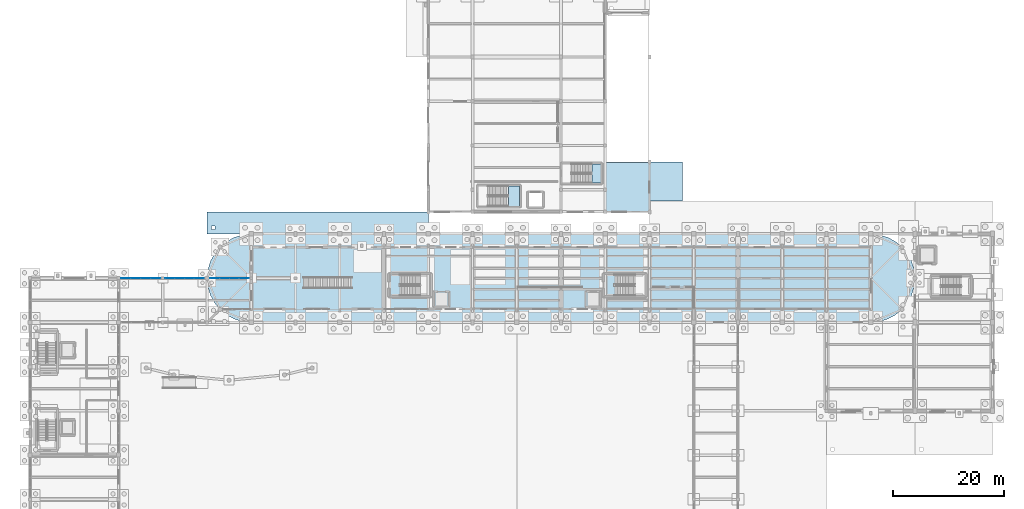
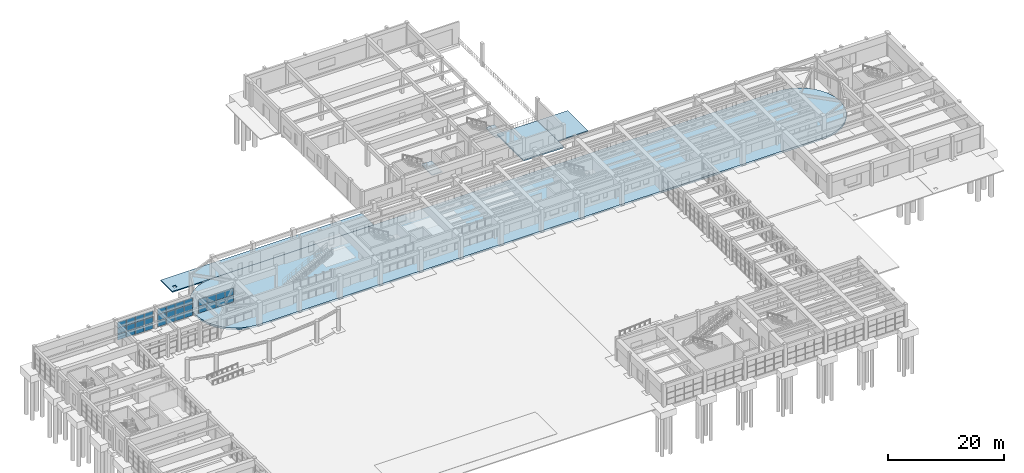
# One storey, part 40 of 68: 32 plates, 6 slabs, 5 elements without a shape of their own.
"""IFC4 building model written with IfcOpenShell, lengths in metres."""

import ifcopenshell
import ifcopenshell.guid

model = None  # the IFC model being written
_history = None  # IfcOwnerHistory: only IFC2X3 demands one
_inside = {}  # id of a spatial element -> (the spatial element, [elements in it])
_under = {}  # id of a project, library or spatial element -> (it, [spatial elements below it])
_declared = {}  # id of a project -> (the project, [libraries it declares])
_typed = {}  # id of a type object -> (the type object, [elements of that type])
_made_of = {}  # id of a material, layer set ... -> (it, [elements and type objects made of it])


def new_model(schema):
    """Start an empty IFC model of exactly this schema.

    Asked for "IFC4X3", IfcOpenShell would pick the latest addendum, in which some entities
    have other attributes; the version numbers below select the first issue.
    IFC2X3 requires an IfcOwnerHistory on every rooted entity: one is made here for all.
    """
    global model, _history
    if schema == "IFC4X3":
        model = ifcopenshell.file(schema_version=(4, 3, 0, 0))
    else:
        model = ifcopenshell.file(schema=schema)
    _inside.clear()
    _under.clear()
    _declared.clear()
    _typed.clear()
    _made_of.clear()
    _history = None
    if model.schema == "IFC2X3":
        org = make("IfcOrganization", Name="unknown")
        user = make(
            "IfcPersonAndOrganization",
            ThePerson=make("IfcPerson", FamilyName="unknown"),
            TheOrganization=org,
        )
        app = make(
            "IfcApplication",
            ApplicationDeveloper=org,
            Version="unknown",
            ApplicationFullName="unknown",
            ApplicationIdentifier="unknown",
        )
        _history = make(
            "IfcOwnerHistory",
            OwningUser=user,
            OwningApplication=app,
            ChangeAction="ADDED",
            CreationDate=0,
        )
    return model


def make(cls, **values):
    """One entity of the class cls with the attributes given. An attribute that is None is left unset."""
    return model.create_entity(
        cls, **{name: value for name, value in values.items() if value is not None}
    )


def rooted(cls, **values):
    """An entity with a GlobalId (a new one), such as an element, a storey or a relation."""
    return make(cls, GlobalId=ifcopenshell.guid.new(), OwnerHistory=_history, **values)


def si_unit(unit_type, name, prefix=None):
    """IfcSIUnit, for example si_unit("LENGTHUNIT", "METRE", prefix="MILLI")."""
    return make("IfcSIUnit", UnitType=unit_type, Prefix=prefix, Name=name)


def assignment(units):
    """IfcUnitAssignment: the units of a project."""
    return None if units is None else make("IfcUnitAssignment", Units=units)


def point(xyz):
    """IfcCartesianPoint."""
    return None if xyz is None else make("IfcCartesianPoint", Coordinates=xyz)


def direction(xyz):
    """IfcDirection."""
    return None if xyz is None else make("IfcDirection", DirectionRatios=xyz)


def frame(location, z_axis=None, x_axis=None):
    """IfcAxis2Placement3D, a coordinate frame: its origin and axes. An axis left out is left unset."""
    return make(
        "IfcAxis2Placement3D",
        Location=point(location),
        Axis=direction(z_axis),
        RefDirection=direction(x_axis),
    )


def frame_2d(location, x_axis=None):
    """IfcAxis2Placement2D, a coordinate frame in the plane: its origin and x axis."""
    return make(
        "IfcAxis2Placement2D", Location=point(location), RefDirection=direction(x_axis)
    )


def origin():
    """The frame at (0, 0, 0) with its axes left unset."""
    return frame((0.0, 0.0, 0.0))


def origin_2d():
    """The frame at (0, 0) in the plane with its x axis left unset."""
    return frame_2d((0.0, 0.0))


def place(relative_to, where):
    """IfcLocalPlacement: puts the frame where relative to a parent placement (None: the world)."""
    return make(
        "IfcLocalPlacement", PlacementRelTo=relative_to, RelativePlacement=where
    )


def context(
    kind, dimensions, precision=None, world=None, true_north=None, identifier=None
):
    """IfcGeometricRepresentationContext, for example the 3D "Model" context."""
    return make(
        "IfcGeometricRepresentationContext",
        ContextIdentifier=identifier,
        ContextType=kind,
        CoordinateSpaceDimension=dimensions,
        Precision=precision,
        WorldCoordinateSystem=world,
        TrueNorth=true_north,
    )


def subcontext(parent, identifier, kind, view, scale=None):
    """IfcGeometricRepresentationSubContext, for example "Body" below "Model"."""
    return make(
        "IfcGeometricRepresentationSubContext",
        ContextIdentifier=identifier,
        ContextType=kind,
        ParentContext=parent,
        TargetScale=scale,
        TargetView=view,
    )


def project(units=None, contexts=None):
    """IfcProject with its units and contexts."""
    return rooted(
        "IfcProject",
        Name="project",
        RepresentationContexts=contexts,
        UnitsInContext=assignment(units),
    )


def spatial(cls, under=None, at=None, **own):
    """A site, building, storey or space (cls), placed at a placement, below another one or the project."""
    s = rooted(cls, ObjectPlacement=at, **own)
    if under is not None:
        _under.setdefault(under.id(), (under, []))[1].append(s)
    return s


def polyline(points):
    """IfcPolyline through the points."""
    return make("IfcPolyline", Points=[point(p) for p in points])


def profile(cls, at=None, kind="AREA", **sizes):
    """A parametric profile (cls). Its sizes go by their IFC names, for example OverallWidth=200.0."""
    return make(cls, ProfileType=kind, Position=at, **sizes)


def rectangle(**sizes):
    """IfcRectangleProfileDef."""
    return profile("IfcRectangleProfileDef", **sizes)


def outline(outer, holes=None, kind="AREA"):
    """IfcArbitraryClosedProfileDef: a profile drawn as a closed curve; with holes, ...WithVoids."""
    if holes is None:
        return make("IfcArbitraryClosedProfileDef", ProfileType=kind, OuterCurve=outer)
    return make(
        "IfcArbitraryProfileDefWithVoids",
        ProfileType=kind,
        OuterCurve=outer,
        InnerCurves=holes,
    )


def extrude(swept, where, along, depth):
    """IfcExtrudedAreaSolid: the profile swept, set in the frame where, extruded along a direction by depth."""
    return make(
        "IfcExtrudedAreaSolid",
        SweptArea=swept,
        Position=where,
        ExtrudedDirection=direction(along),
        Depth=depth,
    )


def shape(context_of_items, identifier, shape_type, items):
    """IfcShapeRepresentation: the items that make up one representation, for example the "Body"."""
    return make(
        "IfcShapeRepresentation",
        ContextOfItems=context_of_items,
        RepresentationIdentifier=identifier,
        RepresentationType=shape_type,
        Items=items,
    )


def material(Name=None, Category=None):
    """IfcMaterial."""
    return make("IfcMaterial", Name=Name, Category=Category)


def layer(
    of_material, thickness, ventilated=None, Name=None, Category=None, Priority=None
):
    """IfcMaterialLayer: one layer of a wall or slab, of a material (None: an air gap)."""
    return make(
        "IfcMaterialLayer",
        Material=of_material,
        LayerThickness=thickness,
        IsVentilated=ventilated,
        Name=Name,
        Category=Category,
        Priority=Priority,
    )


def layer_set(layers, Name=None):
    """IfcMaterialLayerSet."""
    return make("IfcMaterialLayerSet", MaterialLayers=layers, LayerSetName=Name)


def made_of(thing, what):
    """Note that an element or type object is made of a material, layer set ...; save() writes the relation."""
    if what is not None:
        _made_of.setdefault(what.id(), (what, []))[1].append(thing)
    return thing


def type_object(cls, material=None, **own):
    """A type object (cls), such as IfcWallType, which elements share."""
    return made_of(rooted(cls, **own), material)


def element(
    cls,
    number,
    at=None,
    inside=None,
    cuts=None,
    type_object=None,
    material=None,
    context=None,
    identifier="Body",
    shape_type=None,
    held_by="IfcProductDefinitionShape",
    body=None,
    shapes=None,
    **own,
):
    """One element of the class cls, such as IfcWall. Its Tag is "e" and its number.

    at: its placement. inside: the storey or other place that contains it. cuts: it is an
    opening in that element (IfcRelVoidsElement). A single representation is given by context,
    identifier, shape_type and body (its items); several are given by shapes. held_by: the class
    of the entity that holds the representations. save() writes the other relations.
    """
    e = rooted(cls, Tag="e%d" % number, ObjectPlacement=at, **own)
    if body is not None:
        shapes = [shape(context, identifier, shape_type, body)]
    if shapes is not None:
        e.Representation = make(held_by, Representations=shapes)
    if inside is not None:
        _inside.setdefault(inside.id(), (inside, []))[1].append(e)
    if cuts is not None:
        rooted(
            "IfcRelVoidsElement", RelatingBuildingElement=cuts, RelatedOpeningElement=e
        )
    if type_object is not None:
        _typed.setdefault(type_object.id(), (type_object, []))[1].append(e)
    return made_of(e, material)


def aggregate(whole, parts):
    """IfcRelAggregates: a whole, such as a stair, and the parts it consists of."""
    return rooted("IfcRelAggregates", RelatingObject=whole, RelatedObjects=parts)


def save(model, path):
    """Write the relations noted so far, then the file.

    IfcRelAggregates (storeys below a building ...), IfcRelContainedInSpatialStructure (elements
    in a storey), IfcRelDefinesByType, IfcRelAssociatesMaterial and IfcRelDeclares: one each for
    every whole, place, type object, material and project.
    """
    for whole, parts in _under.values():
        aggregate(whole, parts)
    for where, things in _inside.values():
        rooted(
            "IfcRelContainedInSpatialStructure",
            RelatedElements=things,
            RelatingStructure=where,
        )
    for kind, things in _typed.values():
        rooted("IfcRelDefinesByType", RelatedObjects=things, RelatingType=kind)
    for what, things in _made_of.values():
        rooted("IfcRelAssociatesMaterial", RelatedObjects=things, RelatingMaterial=what)
    for by, libraries in _declared.values():
        rooted("IfcRelDeclares", RelatingContext=by, RelatedDefinitions=libraries)
    model.write(path)


model = new_model("IFC4")

# Units and contexts
model_context = context("Model", 3, precision=1e-05, world=origin(), true_north=direction((0.0, 1.0)))
body_context = subcontext(model_context, "Body", "Model", "MODEL_VIEW")
ifc_project = project(units=[si_unit("LENGTHUNIT", "METRE"), si_unit("AREAUNIT", "SQUARE_METRE"), si_unit("VOLUMEUNIT", "CUBIC_METRE"), si_unit("PLANEANGLEUNIT", "RADIAN"), si_unit("MASSUNIT", "GRAM", prefix="KILO")], contexts=[model_context])

# Site, building, storey
site_placement = place(None, origin())
site = spatial("IfcSite", under=ifc_project, at=site_placement, CompositionType="ELEMENT")
building_placement = place(site_placement, origin())
building = spatial("IfcBuilding", under=site, at=building_placement, Name="Serraluz Foothill Cableway Terminal", CompositionType="ELEMENT")
storey_placement = place(building_placement, origin())
storey = spatial("IfcBuildingStorey", under=building, at=storey_placement, Name="L00", CompositionType="ELEMENT", Elevation=0.0)

# Curtain wall, plates
ifc_material_1 = material(Name="Architectural bronze alloy C28000", Category="aluminium")
curtain_wall_type = type_object("IfcCurtainWallType", Name="TYP-CW-710X420", PredefinedType="NOTDEFINED", material=ifc_material_1)
curtain_wall_1_placement = place(storey_placement, origin())
curtain_wall_1 = element("IfcCurtainWall", 1, at=curtain_wall_1_placement, inside=storey, type_object=curtain_wall_type, Name="Ribbed Glazed Curtain Wall CW-WLN-L00-16", PredefinedType="NOTDEFINED")
ifc_material_2 = material(Name="Translucent ribbed laminated channel glass", Category="glass")
ifc_layer_1 = layer(ifc_material_2, 0.028076171875, Name="Translucent ribbed laminated channel glass", Category="glass")
ifc_layer_set_1 = layer_set([ifc_layer_1], Name="Translucent ribbed laminated channel glass")
plate_type = type_object("IfcPlateType", Name="TYP-CW-PNL-28", PredefinedType="CURTAIN_PANEL", material=ifc_layer_set_1)
plate_1_placement = place(storey_placement, frame((17.329345703125, 64.0, 0.06005859375), z_axis=(0.0, 0.0, 1.0), x_axis=(1.0, 0.0, 0.0)))
plate_1 = element("IfcPlate", 2, at=plate_1_placement, type_object=plate_type, Name="CW-01 panel 1.1", PredefinedType="CURTAIN_PANEL", context=body_context, shape_type="SweptSolid", body=[
    extrude(rectangle(XDim=1.708740234375, YDim=0.028076171875, at=origin_2d()), origin(), (0.0, 0.0, 1.0), 1.21337890625),
])
plate_2_placement = place(storey_placement, frame((17.329345703125, 64.0, 1.33349609375), z_axis=(0.0, 0.0, 1.0), x_axis=(1.0, 0.0, 0.0)))
plate_2 = element("IfcPlate", 3, at=plate_2_placement, type_object=plate_type, Name="CW-01 panel 1.2", PredefinedType="CURTAIN_PANEL", context=body_context, shape_type="SweptSolid", body=[
    extrude(rectangle(XDim=1.708740234375, YDim=0.028076171875, at=origin_2d()), origin(), (0.0, 0.0, 1.0), 1.243408203125),
])
plate_3_placement = place(storey_placement, frame((17.329345703125, 64.0, 2.63671875), z_axis=(0.0, 0.0, 1.0), x_axis=(1.0, 0.0, 0.0)))
plate_3 = element("IfcPlate", 4, at=plate_3_placement, type_object=plate_type, Name="CW-01 panel 1.3", PredefinedType="CURTAIN_PANEL", context=body_context, shape_type="SweptSolid", body=[
    extrude(rectangle(XDim=1.708740234375, YDim=0.028076171875, at=origin_2d()), origin(), (0.0, 0.0, 1.0), 1.21337890625),
])
plate_4_placement = place(storey_placement, frame((19.113037109375, 64.0, 0.06005859375), z_axis=(0.0, 0.0, 1.0), x_axis=(1.0, 0.0, 0.0)))
plate_4 = element("IfcPlate", 5, at=plate_4_placement, type_object=plate_type, Name="CW-01 panel 2.1", PredefinedType="CURTAIN_PANEL", context=body_context, shape_type="SweptSolid", body=[
    extrude(rectangle(XDim=1.73876953125, YDim=0.028076171875, at=origin_2d()), origin(), (0.0, 0.0, 1.0), 1.21337890625),
])
plate_5_placement = place(storey_placement, frame((19.113037109375, 64.0, 1.33349609375), z_axis=(0.0, 0.0, 1.0), x_axis=(1.0, 0.0, 0.0)))
plate_5 = element("IfcPlate", 6, at=plate_5_placement, type_object=plate_type, Name="CW-01 panel 2.2", PredefinedType="CURTAIN_PANEL", context=body_context, shape_type="SweptSolid", body=[
    extrude(rectangle(XDim=1.73876953125, YDim=0.028076171875, at=origin_2d()), origin(), (0.0, 0.0, 1.0), 1.243408203125),
])
plate_6_placement = place(storey_placement, frame((19.113037109375, 64.0, 2.63671875), z_axis=(0.0, 0.0, 1.0), x_axis=(1.0, 0.0, 0.0)))
plate_6 = element("IfcPlate", 7, at=plate_6_placement, type_object=plate_type, Name="CW-01 panel 2.3", PredefinedType="CURTAIN_PANEL", context=body_context, shape_type="SweptSolid", body=[
    extrude(rectangle(XDim=1.73876953125, YDim=0.028076171875, at=origin_2d()), origin(), (0.0, 0.0, 1.0), 1.21337890625),
])
plate_7_placement = place(storey_placement, frame((20.911865234375, 64.0, 0.06005859375), z_axis=(0.0, 0.0, 1.0), x_axis=(1.0, 0.0, 0.0)))
plate_7 = element("IfcPlate", 8, at=plate_7_placement, type_object=plate_type, Name="CW-01 panel 3.1", PredefinedType="CURTAIN_PANEL", context=body_context, shape_type="SweptSolid", body=[
    extrude(rectangle(XDim=1.73876953125, YDim=0.028076171875, at=origin_2d()), origin(), (0.0, 0.0, 1.0), 1.21337890625),
])
plate_8_placement = place(storey_placement, frame((20.911865234375, 64.0, 1.33349609375), z_axis=(0.0, 0.0, 1.0), x_axis=(1.0, 0.0, 0.0)))
plate_8 = element("IfcPlate", 9, at=plate_8_placement, type_object=plate_type, Name="CW-01 panel 3.2", PredefinedType="CURTAIN_PANEL", context=body_context, shape_type="SweptSolid", body=[
    extrude(rectangle(XDim=1.73876953125, YDim=0.028076171875, at=origin_2d()), origin(), (0.0, 0.0, 1.0), 1.243408203125),
])
plate_9_placement = place(storey_placement, frame((20.911865234375, 64.0, 2.63671875), z_axis=(0.0, 0.0, 1.0), x_axis=(1.0, 0.0, 0.0)))
plate_9 = element("IfcPlate", 10, at=plate_9_placement, type_object=plate_type, Name="CW-01 panel 3.3", PredefinedType="CURTAIN_PANEL", context=body_context, shape_type="SweptSolid", body=[
    extrude(rectangle(XDim=1.73876953125, YDim=0.028076171875, at=origin_2d()), origin(), (0.0, 0.0, 1.0), 1.21337890625),
])
plate_10_placement = place(storey_placement, frame((22.695556640625, 64.0, 0.06005859375), z_axis=(0.0, 0.0, 1.0), x_axis=(1.0, 0.0, 0.0)))
plate_10 = element("IfcPlate", 11, at=plate_10_placement, type_object=plate_type, Name="CW-01 panel 4.1", PredefinedType="CURTAIN_PANEL", context=body_context, shape_type="SweptSolid", body=[
    extrude(rectangle(XDim=1.708740234375, YDim=0.028076171875, at=origin_2d()), origin(), (0.0, 0.0, 1.0), 1.21337890625),
])
plate_11_placement = place(storey_placement, frame((22.695556640625, 64.0, 1.33349609375), z_axis=(0.0, 0.0, 1.0), x_axis=(1.0, 0.0, 0.0)))
plate_11 = element("IfcPlate", 12, at=plate_11_placement, type_object=plate_type, Name="CW-01 panel 4.2", PredefinedType="CURTAIN_PANEL", context=body_context, shape_type="SweptSolid", body=[
    extrude(rectangle(XDim=1.708740234375, YDim=0.028076171875, at=origin_2d()), origin(), (0.0, 0.0, 1.0), 1.243408203125),
])
plate_12_placement = place(storey_placement, frame((22.695556640625, 64.0, 2.63671875), z_axis=(0.0, 0.0, 1.0), x_axis=(1.0, 0.0, 0.0)))
plate_12 = element("IfcPlate", 13, at=plate_12_placement, type_object=plate_type, Name="CW-01 panel 4.3", PredefinedType="CURTAIN_PANEL", context=body_context, shape_type="SweptSolid", body=[
    extrude(rectangle(XDim=1.708740234375, YDim=0.028076171875, at=origin_2d()), origin(), (0.0, 0.0, 1.0), 1.21337890625),
])
aggregate(curtain_wall_1, [plate_1, plate_2, plate_3, plate_4, plate_5, plate_6, plate_7, plate_8, plate_9, plate_10, plate_11, plate_12])

curtain_wall_2_placement = place(storey_placement, origin())
curtain_wall_2 = element("IfcCurtainWall", 14, at=curtain_wall_2_placement, inside=storey, type_object=curtain_wall_type, Name="Ribbed Glazed Curtain Wall CW-WLN-L00-24", PredefinedType="NOTDEFINED")
plate_13_placement = place(storey_placement, frame((25.2919921875, 64.0, 0.06005859375), z_axis=(0.0, 0.0, 1.0), x_axis=(1.0, 0.0, 0.0)))
plate_13 = element("IfcPlate", 15, at=plate_13_placement, type_object=plate_type, Name="CW-01 panel 1.1", PredefinedType="CURTAIN_PANEL", context=body_context, shape_type="SweptSolid", body=[
    extrude(rectangle(XDim=1.683837890625, YDim=0.028076171875, at=origin_2d()), origin(), (0.0, 0.0, 1.0), 1.21337890625),
])
plate_14_placement = place(storey_placement, frame((25.2919921875, 64.0, 1.33349609375), z_axis=(0.0, 0.0, 1.0), x_axis=(1.0, 0.0, 0.0)))
plate_14 = element("IfcPlate", 16, at=plate_14_placement, type_object=plate_type, Name="CW-01 panel 1.2", PredefinedType="CURTAIN_PANEL", context=body_context, shape_type="SweptSolid", body=[
    extrude(rectangle(XDim=1.683837890625, YDim=0.028076171875, at=origin_2d()), origin(), (0.0, 0.0, 1.0), 1.243408203125),
])
plate_15_placement = place(storey_placement, frame((25.2919921875, 64.0, 2.63671875), z_axis=(0.0, 0.0, 1.0), x_axis=(1.0, 0.0, 0.0)))
plate_15 = element("IfcPlate", 17, at=plate_15_placement, type_object=plate_type, Name="CW-01 panel 1.3", PredefinedType="CURTAIN_PANEL", context=body_context, shape_type="SweptSolid", body=[
    extrude(rectangle(XDim=1.683837890625, YDim=0.028076171875, at=origin_2d()), origin(), (0.0, 0.0, 1.0), 1.21337890625),
])
plate_16_placement = place(storey_placement, frame((27.050537109375, 64.0, 0.06005859375), z_axis=(0.0, 0.0, 1.0), x_axis=(1.0, 0.0, 0.0)))
plate_16 = element("IfcPlate", 18, at=plate_16_placement, type_object=plate_type, Name="CW-01 panel 2.1", PredefinedType="CURTAIN_PANEL", context=body_context, shape_type="SweptSolid", body=[
    extrude(rectangle(XDim=1.7138671875, YDim=0.028076171875, at=origin_2d()), origin(), (0.0, 0.0, 1.0), 1.21337890625),
])
plate_17_placement = place(storey_placement, frame((27.050537109375, 64.0, 1.33349609375), z_axis=(0.0, 0.0, 1.0), x_axis=(1.0, 0.0, 0.0)))
plate_17 = element("IfcPlate", 19, at=plate_17_placement, type_object=plate_type, Name="CW-01 panel 2.2", PredefinedType="CURTAIN_PANEL", context=body_context, shape_type="SweptSolid", body=[
    extrude(rectangle(XDim=1.7138671875, YDim=0.028076171875, at=origin_2d()), origin(), (0.0, 0.0, 1.0), 1.243408203125),
])
plate_18_placement = place(storey_placement, frame((27.050537109375, 64.0, 2.63671875), z_axis=(0.0, 0.0, 1.0), x_axis=(1.0, 0.0, 0.0)))
plate_18 = element("IfcPlate", 20, at=plate_18_placement, type_object=plate_type, Name="CW-01 panel 2.3", PredefinedType="CURTAIN_PANEL", context=body_context, shape_type="SweptSolid", body=[
    extrude(rectangle(XDim=1.7138671875, YDim=0.028076171875, at=origin_2d()), origin(), (0.0, 0.0, 1.0), 1.21337890625),
])
plate_19_placement = place(storey_placement, frame((28.824462890625, 64.0, 0.06005859375), z_axis=(0.0, 0.0, 1.0), x_axis=(1.0, 0.0, 0.0)))
plate_19 = element("IfcPlate", 21, at=plate_19_placement, type_object=plate_type, Name="CW-01 panel 3.1", PredefinedType="CURTAIN_PANEL", context=body_context, shape_type="SweptSolid", body=[
    extrude(rectangle(XDim=1.7138671875, YDim=0.028076171875, at=origin_2d()), origin(), (0.0, 0.0, 1.0), 1.21337890625),
])
plate_20_placement = place(storey_placement, frame((28.824462890625, 64.0, 1.33349609375), z_axis=(0.0, 0.0, 1.0), x_axis=(1.0, 0.0, 0.0)))
plate_20 = element("IfcPlate", 22, at=plate_20_placement, type_object=plate_type, Name="CW-01 panel 3.2", PredefinedType="CURTAIN_PANEL", context=body_context, shape_type="SweptSolid", body=[
    extrude(rectangle(XDim=1.7138671875, YDim=0.028076171875, at=origin_2d()), origin(), (0.0, 0.0, 1.0), 1.243408203125),
])
plate_21_placement = place(storey_placement, frame((28.824462890625, 64.0, 2.63671875), z_axis=(0.0, 0.0, 1.0), x_axis=(1.0, 0.0, 0.0)))
plate_21 = element("IfcPlate", 23, at=plate_21_placement, type_object=plate_type, Name="CW-01 panel 3.3", PredefinedType="CURTAIN_PANEL", context=body_context, shape_type="SweptSolid", body=[
    extrude(rectangle(XDim=1.7138671875, YDim=0.028076171875, at=origin_2d()), origin(), (0.0, 0.0, 1.0), 1.21337890625),
])
plate_22_placement = place(storey_placement, frame((30.5830078125, 64.0, 0.06005859375), z_axis=(0.0, 0.0, 1.0), x_axis=(1.0, 0.0, 0.0)))
plate_22 = element("IfcPlate", 24, at=plate_22_placement, type_object=plate_type, Name="CW-01 panel 4.1", PredefinedType="CURTAIN_PANEL", context=body_context, shape_type="SweptSolid", body=[
    extrude(rectangle(XDim=1.683837890625, YDim=0.028076171875, at=origin_2d()), origin(), (0.0, 0.0, 1.0), 1.21337890625),
])
plate_23_placement = place(storey_placement, frame((30.5830078125, 64.0, 1.33349609375), z_axis=(0.0, 0.0, 1.0), x_axis=(1.0, 0.0, 0.0)))
plate_23 = element("IfcPlate", 25, at=plate_23_placement, type_object=plate_type, Name="CW-01 panel 4.2", PredefinedType="CURTAIN_PANEL", context=body_context, shape_type="SweptSolid", body=[
    extrude(rectangle(XDim=1.683837890625, YDim=0.028076171875, at=origin_2d()), origin(), (0.0, 0.0, 1.0), 1.243408203125),
])
plate_24_placement = place(storey_placement, frame((30.5830078125, 64.0, 2.63671875), z_axis=(0.0, 0.0, 1.0), x_axis=(1.0, 0.0, 0.0)))
plate_24 = element("IfcPlate", 26, at=plate_24_placement, type_object=plate_type, Name="CW-01 panel 4.3", PredefinedType="CURTAIN_PANEL", context=body_context, shape_type="SweptSolid", body=[
    extrude(rectangle(XDim=1.683837890625, YDim=0.028076171875, at=origin_2d()), origin(), (0.0, 0.0, 1.0), 1.21337890625),
])
aggregate(curtain_wall_2, [plate_13, plate_14, plate_15, plate_16, plate_17, plate_18, plate_19, plate_20, plate_21, plate_22, plate_23, plate_24])

curtain_wall_3_placement = place(storey_placement, origin())
curtain_wall_3 = element("IfcCurtainWall", 27, at=curtain_wall_3_placement, inside=storey, type_object=curtain_wall_type, Name="Ribbed Glazed Curtain Wall CW-WLN-L00-32", PredefinedType="NOTDEFINED")
plate_25_placement = place(storey_placement, frame((33.4169921875, 64.0, 0.06005859375), z_axis=(0.0, 0.0, 1.0), x_axis=(1.0, 0.0, 0.0)))
plate_25 = element("IfcPlate", 28, at=plate_25_placement, type_object=plate_type, Name="CW-01 panel 1.1", PredefinedType="CURTAIN_PANEL", context=body_context, shape_type="SweptSolid", body=[
    extrude(rectangle(XDim=1.683837890625, YDim=0.028076171875, at=origin_2d()), origin(), (0.0, 0.0, 1.0), 1.43505859375),
])
plate_26_placement = place(storey_placement, frame((33.4169921875, 64.0, 1.554931640625), z_axis=(0.0, 0.0, 1.0), x_axis=(1.0, 0.0, 0.0)))
plate_26 = element("IfcPlate", 29, at=plate_26_placement, type_object=plate_type, Name="CW-01 panel 1.2", PredefinedType="CURTAIN_PANEL", context=body_context, shape_type="SweptSolid", body=[
    extrude(rectangle(XDim=1.683837890625, YDim=0.028076171875, at=origin_2d()), origin(), (0.0, 0.0, 1.0), 1.43505859375),
])
plate_27_placement = place(storey_placement, frame((35.175537109375, 64.0, 0.06005859375), z_axis=(0.0, 0.0, 1.0), x_axis=(1.0, 0.0, 0.0)))
plate_27 = element("IfcPlate", 30, at=plate_27_placement, type_object=plate_type, Name="CW-01 panel 2.1", PredefinedType="CURTAIN_PANEL", context=body_context, shape_type="SweptSolid", body=[
    extrude(rectangle(XDim=1.7138671875, YDim=0.028076171875, at=origin_2d()), origin(), (0.0, 0.0, 1.0), 1.43505859375),
])
plate_28_placement = place(storey_placement, frame((35.175537109375, 64.0, 1.554931640625), z_axis=(0.0, 0.0, 1.0), x_axis=(1.0, 0.0, 0.0)))
plate_28 = element("IfcPlate", 31, at=plate_28_placement, type_object=plate_type, Name="CW-01 panel 2.2", PredefinedType="CURTAIN_PANEL", context=body_context, shape_type="SweptSolid", body=[
    extrude(rectangle(XDim=1.7138671875, YDim=0.028076171875, at=origin_2d()), origin(), (0.0, 0.0, 1.0), 1.43505859375),
])
plate_29_placement = place(storey_placement, frame((36.949462890625, 64.0, 0.06005859375), z_axis=(0.0, 0.0, 1.0), x_axis=(1.0, 0.0, 0.0)))
plate_29 = element("IfcPlate", 32, at=plate_29_placement, type_object=plate_type, Name="CW-01 panel 3.1", PredefinedType="CURTAIN_PANEL", context=body_context, shape_type="SweptSolid", body=[
    extrude(rectangle(XDim=1.7138671875, YDim=0.028076171875, at=origin_2d()), origin(), (0.0, 0.0, 1.0), 1.43505859375),
])
plate_30_placement = place(storey_placement, frame((36.949462890625, 64.0, 1.554931640625), z_axis=(0.0, 0.0, 1.0), x_axis=(1.0, 0.0, 0.0)))
plate_30 = element("IfcPlate", 33, at=plate_30_placement, type_object=plate_type, Name="CW-01 panel 3.2", PredefinedType="CURTAIN_PANEL", context=body_context, shape_type="SweptSolid", body=[
    extrude(rectangle(XDim=1.7138671875, YDim=0.028076171875, at=origin_2d()), origin(), (0.0, 0.0, 1.0), 1.43505859375),
])
plate_31_placement = place(storey_placement, frame((38.7080078125, 64.0, 0.06005859375), z_axis=(0.0, 0.0, 1.0), x_axis=(1.0, 0.0, 0.0)))
plate_31 = element("IfcPlate", 34, at=plate_31_placement, type_object=plate_type, Name="CW-01 panel 4.1", PredefinedType="CURTAIN_PANEL", context=body_context, shape_type="SweptSolid", body=[
    extrude(rectangle(XDim=1.683837890625, YDim=0.028076171875, at=origin_2d()), origin(), (0.0, 0.0, 1.0), 1.43505859375),
])
plate_32_placement = place(storey_placement, frame((38.7080078125, 64.0, 1.554931640625), z_axis=(0.0, 0.0, 1.0), x_axis=(1.0, 0.0, 0.0)))
plate_32 = element("IfcPlate", 35, at=plate_32_placement, type_object=plate_type, Name="CW-01 panel 4.2", PredefinedType="CURTAIN_PANEL", context=body_context, shape_type="SweptSolid", body=[
    extrude(rectangle(XDim=1.683837890625, YDim=0.028076171875, at=origin_2d()), origin(), (0.0, 0.0, 1.0), 1.43505859375),
])
aggregate(curtain_wall_3, [plate_25, plate_26, plate_27, plate_28, plate_29, plate_30, plate_31, plate_32])

# Slabs
ifc_material_3 = material(Name="Concrete C35/45 (f'c 35 MPa)", Category="concrete")
ifc_layer_2 = layer(ifc_material_3, 0.39990234375, Name="Concrete C35/45 (f'c 35 MPa)", Category="concrete")
ifc_layer_set_2 = layer_set([ifc_layer_2], Name="Concrete C35/45 (f'c 35 MPa)")
slab_type_1 = type_object("IfcSlabType", Name="TYP-SLB-BASE-400", PredefinedType="BASESLAB", material=ifc_layer_set_2)
slab_1_placement = place(storey_placement, frame((0.0, 0.0, -0.39990234375)))
element("IfcSlab", 36, at=slab_1_placement, inside=storey, type_object=slab_type_1, Name="Structural Slab SLB-L00-V1", PredefinedType="BASESLAB", context=body_context, shape_type="SweptSolid", body=[
    extrude(outline(polyline([(40.0, 56.0), (152.0, 56.0), (153.560791015625, 56.15380859375), (155.0615234375, 56.60888671875), (156.444580078125, 57.34814453125), (157.656982421875, 58.343017578125), (158.65185546875, 59.555419921875), (159.39111328125, 60.9384765625), (159.84619140625, 62.439208984375), (160.0, 64.0), (159.84619140625, 65.560791015625), (159.39111328125, 67.0615234375), (158.65185546875, 68.444580078125), (157.656982421875, 69.656982421875), (156.444580078125, 70.65185546875), (155.0615234375, 71.39111328125), (153.560791015625, 71.84619140625), (152.0, 72.0), (40.0, 72.0), (38.439208984375, 71.84619140625), (36.9384765625, 71.39111328125), (35.555419921875, 70.65185546875), (34.343017578125, 69.656982421875), (33.34814453125, 68.444580078125), (32.60888671875, 67.0615234375), (32.15380859375, 65.560791015625), (32.0, 64.0), (32.15380859375, 62.439208984375), (32.60888671875, 60.9384765625), (33.34814453125, 59.555419921875), (34.343017578125, 58.343017578125), (35.555419921875, 57.34814453125), (36.9384765625, 56.60888671875), (38.439208984375, 56.15380859375), (40.0, 56.0)])), origin(), (0.0, 0.0, 1.0), 0.39990234375),
])
ifc_material_4 = material(Name="Concrete C28/35 (f'c 28 MPa)", Category="concrete")
ifc_layer_3 = layer(ifc_material_4, 0.219970703125, Name="Concrete C28/35 (f'c 28 MPa)", Category="concrete")
ifc_layer_set_3 = layer_set([ifc_layer_3], Name="Concrete C28/35 (f'c 28 MPa)")
slab_type_2 = type_object("IfcSlabType", Name="TYP-SLB-EXT-220", PredefinedType="BASESLAB", material=ifc_layer_set_3)
slab_2_placement = place(storey_placement, frame((0.0, 0.0, -0.219970703125)))
element("IfcSlab", 37, at=slab_2_placement, inside=storey, type_object=slab_type_2, Name="Exterior Terrace or Apron Slab EXT-L00-NW", PredefinedType="BASESLAB", context=body_context, shape_type="SweptSolid", body=[
    extrude(outline(polyline([(32.0, 72.0), (72.0, 72.0), (72.0, 76.0), (32.0, 76.0), (32.0, 72.0)]), holes=[polyline([(32.800048828125, 72.800048828125), (33.39990234375, 72.800048828125), (33.39990234375, 73.39990234375), (32.800048828125, 73.39990234375), (32.800048828125, 72.800048828125)])]), origin(), (0.0, 0.0, 1.0), 0.219970703125),
])
slab_3_placement = place(storey_placement, frame((0.0, 0.0, -0.219970703125)))
element("IfcSlab", 38, at=slab_3_placement, inside=storey, type_object=slab_type_2, Name="Exterior Terrace or Apron Slab EXT-L00-V4E", PredefinedType="BASESLAB", context=body_context, shape_type="SweptSolid", body=[
    extrude(outline(polyline([(112.0, 78.0), (118.0, 78.0), (118.0, 85.0), (112.0, 85.0), (112.0, 78.0)])), origin(), (0.0, 0.0, 1.0), 0.219970703125),
])
ifc_layer_4 = layer(ifc_material_3, 0.300048828125, Name="Concrete C35/45 (f'c 35 MPa)", Category="concrete")
ifc_layer_set_4 = layer_set([ifc_layer_4], Name="Concrete C35/45 (f'c 35 MPa)")
slab_type_3 = type_object("IfcSlabType", Name="TYP-SLB-FLR-300", PredefinedType="FLOOR", material=ifc_layer_set_4)
slab_4_placement = place(storey_placement, frame((0.0, 0.0, -0.300048828125)))
element("IfcSlab", 39, at=slab_4_placement, inside=storey, type_object=slab_type_3, Name="Structural Slab SLB-L00-V4B", PredefinedType="FLOOR", context=body_context, shape_type="SweptSolid", body=[
    extrude(outline(polyline([(104.0, 76.0), (112.0, 76.0), (112.0, 85.0), (104.0, 85.0), (104.0, 76.0)])), origin(), (0.0, 0.0, 1.0), 0.300048828125),
])

# Stair, slab
stair_type_1 = type_object("IfcStairType", Name="TYP-ST-DOG-176-48", PredefinedType="HALF_TURN_STAIR", material=ifc_material_3)
stair_1_placement = place(storey_placement, origin())
stair_1 = element("IfcStair", 40, at=stair_1_placement, inside=storey, type_object=stair_type_1, Name="L00 ST-08", PredefinedType="HALF_TURN_STAIR")
ifc_layer_5 = layer(ifc_material_4, 0.199951171875, Name="Concrete C28/35 (f'c 28 MPa)", Category="concrete")
ifc_layer_set_5 = layer_set([ifc_layer_5], Name="Concrete C28/35 (f'c 28 MPa)")
slab_type_4 = type_object("IfcSlabType", Name="TYP-SLB-LND-200", PredefinedType="LANDING", material=ifc_layer_set_5)
slab_5_placement = place(storey_placement, frame((0.0, 0.0, 2.199951171875)))
slab_5 = element("IfcSlab", 41, at=slab_5_placement, type_object=slab_type_4, Name="ST-08 landing 1", PredefinedType="LANDING", context=body_context, shape_type="SweptSolid", body=[
    extrude(outline(polyline([(86.465087890625, 77.0), (88.510009765625, 77.0), (88.510009765625, 80.679931640625), (86.465087890625, 80.679931640625), (86.465087890625, 77.0)])), origin(), (0.0, 0.0, 1.0), 0.199951171875),
])
aggregate(stair_1, [slab_5])

stair_type_2 = type_object("IfcStairType", Name="TYP-ST-DOG-166-48", PredefinedType="HALF_TURN_STAIR", material=ifc_material_3)
stair_2_placement = place(storey_placement, origin())
stair_2 = element("IfcStair", 42, at=stair_2_placement, inside=storey, type_object=stair_type_2, Name="L00 ST-09", PredefinedType="HALF_TURN_STAIR")
slab_6_placement = place(storey_placement, frame((0.0, 0.0, 2.199951171875)))
slab_6 = element("IfcSlab", 43, at=slab_6_placement, type_object=slab_type_4, Name="ST-09 landing 1", PredefinedType="LANDING", context=body_context, shape_type="SweptSolid", body=[
    extrude(outline(polyline([(101.56494140625, 81.199951171875), (103.22509765625, 81.199951171875), (103.22509765625, 84.679931640625), (101.56494140625, 84.679931640625), (101.56494140625, 81.199951171875)])), origin(), (0.0, 0.0, 1.0), 0.199951171875),
])
aggregate(stair_2, [slab_6])

save(model, "model.ifc")
